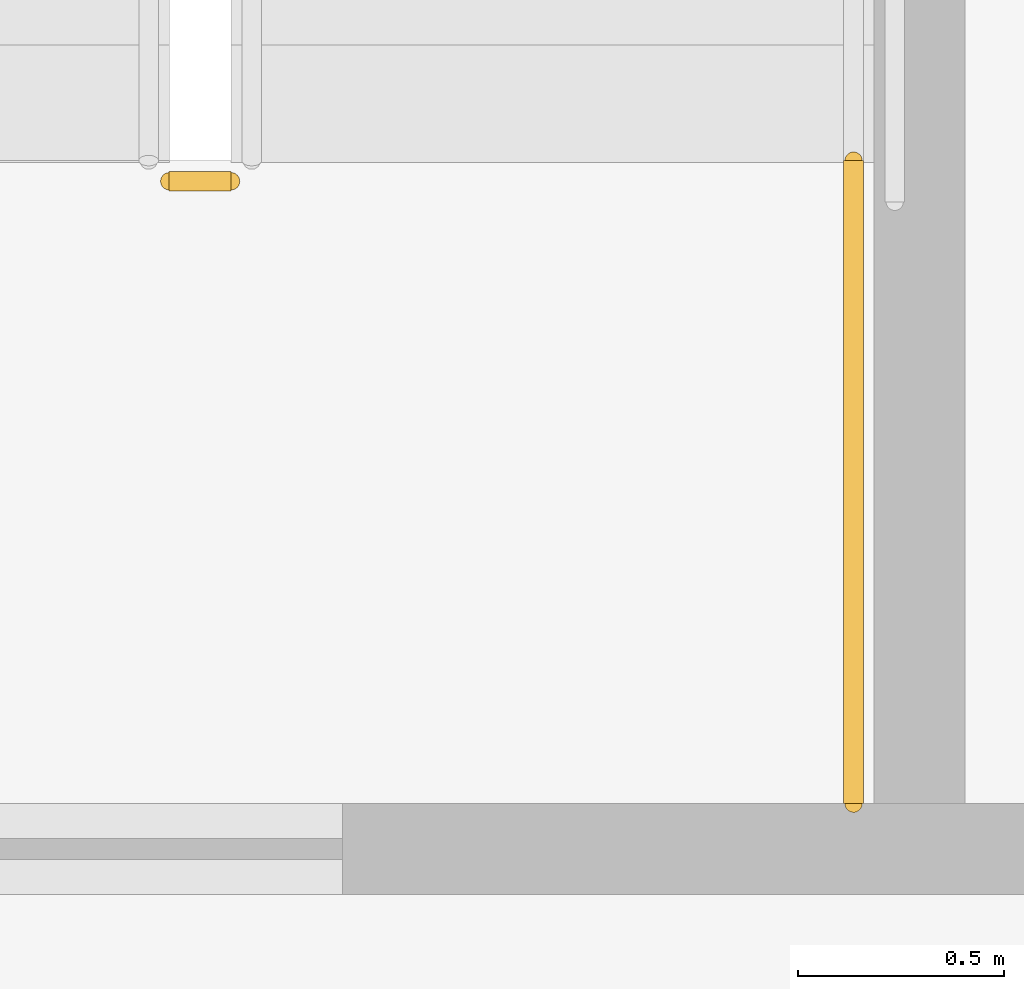
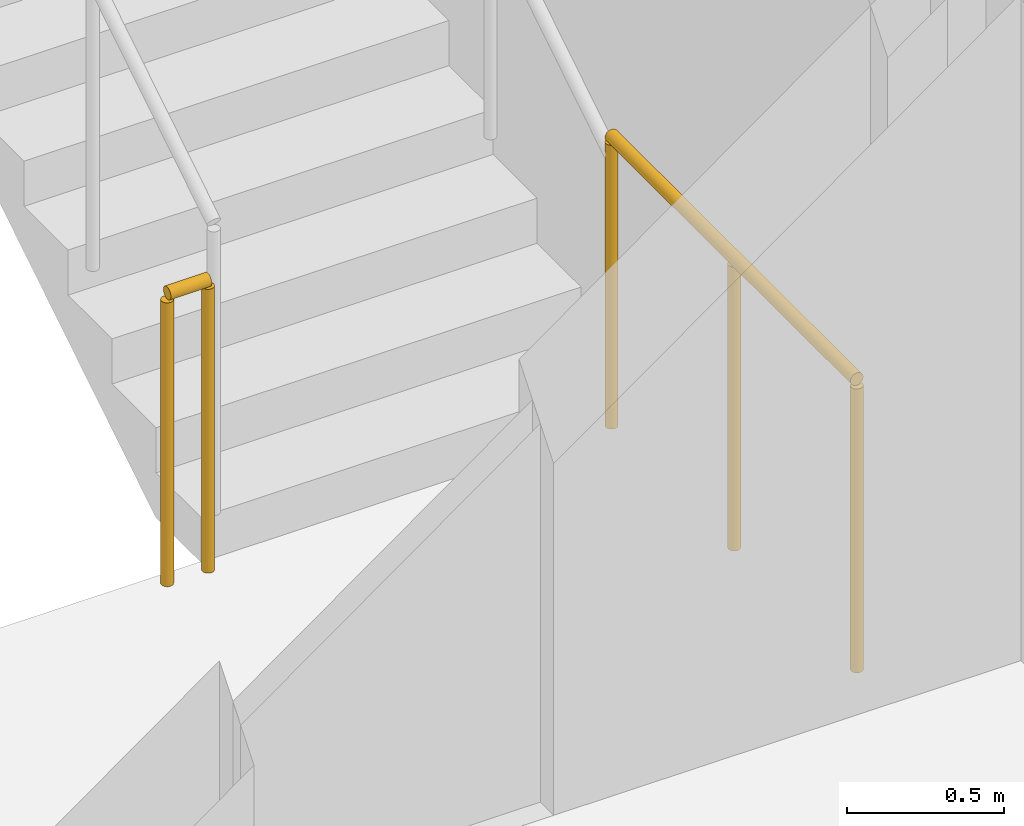
# One storey, part 11 of 14: 2 railings.
"""IFC4 building model written with IfcOpenShell, lengths in metres."""

import ifcopenshell
import ifcopenshell.guid

model = None  # the IFC model being written
_history = None  # IfcOwnerHistory: only IFC2X3 demands one
_inside = {}  # id of a spatial element -> (the spatial element, [elements in it])
_under = {}  # id of a project, library or spatial element -> (it, [spatial elements below it])
_declared = {}  # id of a project -> (the project, [libraries it declares])
_typed = {}  # id of a type object -> (the type object, [elements of that type])
_made_of = {}  # id of a material, layer set ... -> (it, [elements and type objects made of it])


def new_model(schema):
    """Start an empty IFC model of exactly this schema.

    Asked for "IFC4X3", IfcOpenShell would pick the latest addendum, in which some entities
    have other attributes; the version numbers below select the first issue.
    IFC2X3 requires an IfcOwnerHistory on every rooted entity: one is made here for all.
    """
    global model, _history
    if schema == "IFC4X3":
        model = ifcopenshell.file(schema_version=(4, 3, 0, 0))
    else:
        model = ifcopenshell.file(schema=schema)
    _inside.clear()
    _under.clear()
    _declared.clear()
    _typed.clear()
    _made_of.clear()
    _history = None
    if model.schema == "IFC2X3":
        org = make("IfcOrganization", Name="unknown")
        user = make(
            "IfcPersonAndOrganization",
            ThePerson=make("IfcPerson", FamilyName="unknown"),
            TheOrganization=org,
        )
        app = make(
            "IfcApplication",
            ApplicationDeveloper=org,
            Version="unknown",
            ApplicationFullName="unknown",
            ApplicationIdentifier="unknown",
        )
        _history = make(
            "IfcOwnerHistory",
            OwningUser=user,
            OwningApplication=app,
            ChangeAction="ADDED",
            CreationDate=0,
        )
    return model


def make(cls, **values):
    """One entity of the class cls with the attributes given. An attribute that is None is left unset."""
    return model.create_entity(
        cls, **{name: value for name, value in values.items() if value is not None}
    )


def rooted(cls, **values):
    """An entity with a GlobalId (a new one), such as an element, a storey or a relation."""
    return make(cls, GlobalId=ifcopenshell.guid.new(), OwnerHistory=_history, **values)


def si_unit(unit_type, name, prefix=None):
    """IfcSIUnit, for example si_unit("LENGTHUNIT", "METRE", prefix="MILLI")."""
    return make("IfcSIUnit", UnitType=unit_type, Prefix=prefix, Name=name)


def assignment(units):
    """IfcUnitAssignment: the units of a project."""
    return None if units is None else make("IfcUnitAssignment", Units=units)


def point(xyz):
    """IfcCartesianPoint."""
    return None if xyz is None else make("IfcCartesianPoint", Coordinates=xyz)


def direction(xyz):
    """IfcDirection."""
    return None if xyz is None else make("IfcDirection", DirectionRatios=xyz)


def frame(location, z_axis=None, x_axis=None):
    """IfcAxis2Placement3D, a coordinate frame: its origin and axes. An axis left out is left unset."""
    return make(
        "IfcAxis2Placement3D",
        Location=point(location),
        Axis=direction(z_axis),
        RefDirection=direction(x_axis),
    )


def frame_2d(location, x_axis=None):
    """IfcAxis2Placement2D, a coordinate frame in the plane: its origin and x axis."""
    return make(
        "IfcAxis2Placement2D", Location=point(location), RefDirection=direction(x_axis)
    )


def origin():
    """The frame at (0, 0, 0) with its axes left unset."""
    return frame((0.0, 0.0, 0.0))


def origin_2d():
    """The frame at (0, 0) in the plane with its x axis left unset."""
    return frame_2d((0.0, 0.0))


def place(relative_to, where):
    """IfcLocalPlacement: puts the frame where relative to a parent placement (None: the world)."""
    return make(
        "IfcLocalPlacement", PlacementRelTo=relative_to, RelativePlacement=where
    )


def context(
    kind, dimensions, precision=None, world=None, true_north=None, identifier=None
):
    """IfcGeometricRepresentationContext, for example the 3D "Model" context."""
    return make(
        "IfcGeometricRepresentationContext",
        ContextIdentifier=identifier,
        ContextType=kind,
        CoordinateSpaceDimension=dimensions,
        Precision=precision,
        WorldCoordinateSystem=world,
        TrueNorth=true_north,
    )


def subcontext(parent, identifier, kind, view, scale=None):
    """IfcGeometricRepresentationSubContext, for example "Body" below "Model"."""
    return make(
        "IfcGeometricRepresentationSubContext",
        ContextIdentifier=identifier,
        ContextType=kind,
        ParentContext=parent,
        TargetScale=scale,
        TargetView=view,
    )


def project(units=None, contexts=None):
    """IfcProject with its units and contexts."""
    return rooted(
        "IfcProject",
        Name="project",
        RepresentationContexts=contexts,
        UnitsInContext=assignment(units),
    )


def spatial(cls, under=None, at=None, **own):
    """A site, building, storey or space (cls), placed at a placement, below another one or the project."""
    s = rooted(cls, ObjectPlacement=at, **own)
    if under is not None:
        _under.setdefault(under.id(), (under, []))[1].append(s)
    return s


def profile(cls, at=None, kind="AREA", **sizes):
    """A parametric profile (cls). Its sizes go by their IFC names, for example OverallWidth=200.0."""
    return make(cls, ProfileType=kind, Position=at, **sizes)


def circle(**sizes):
    """IfcCircleProfileDef."""
    return profile("IfcCircleProfileDef", **sizes)


def extrude(swept, where, along, depth):
    """IfcExtrudedAreaSolid: the profile swept, set in the frame where, extruded along a direction by depth."""
    return make(
        "IfcExtrudedAreaSolid",
        SweptArea=swept,
        Position=where,
        ExtrudedDirection=direction(along),
        Depth=depth,
    )


def shape(context_of_items, identifier, shape_type, items):
    """IfcShapeRepresentation: the items that make up one representation, for example the "Body"."""
    return make(
        "IfcShapeRepresentation",
        ContextOfItems=context_of_items,
        RepresentationIdentifier=identifier,
        RepresentationType=shape_type,
        Items=items,
    )


def material(Name=None, Category=None):
    """IfcMaterial."""
    return make("IfcMaterial", Name=Name, Category=Category)


def made_of(thing, what):
    """Note that an element or type object is made of a material, layer set ...; save() writes the relation."""
    if what is not None:
        _made_of.setdefault(what.id(), (what, []))[1].append(thing)
    return thing


def type_object(cls, material=None, **own):
    """A type object (cls), such as IfcWallType, which elements share."""
    return made_of(rooted(cls, **own), material)


def element(
    cls,
    number,
    at=None,
    inside=None,
    cuts=None,
    type_object=None,
    material=None,
    context=None,
    identifier="Body",
    shape_type=None,
    held_by="IfcProductDefinitionShape",
    body=None,
    shapes=None,
    **own,
):
    """One element of the class cls, such as IfcWall. Its Tag is "e" and its number.

    at: its placement. inside: the storey or other place that contains it. cuts: it is an
    opening in that element (IfcRelVoidsElement). A single representation is given by context,
    identifier, shape_type and body (its items); several are given by shapes. held_by: the class
    of the entity that holds the representations. save() writes the other relations.
    """
    e = rooted(cls, Tag="e%d" % number, ObjectPlacement=at, **own)
    if body is not None:
        shapes = [shape(context, identifier, shape_type, body)]
    if shapes is not None:
        e.Representation = make(held_by, Representations=shapes)
    if inside is not None:
        _inside.setdefault(inside.id(), (inside, []))[1].append(e)
    if cuts is not None:
        rooted(
            "IfcRelVoidsElement", RelatingBuildingElement=cuts, RelatedOpeningElement=e
        )
    if type_object is not None:
        _typed.setdefault(type_object.id(), (type_object, []))[1].append(e)
    return made_of(e, material)


def aggregate(whole, parts):
    """IfcRelAggregates: a whole, such as a stair, and the parts it consists of."""
    return rooted("IfcRelAggregates", RelatingObject=whole, RelatedObjects=parts)


def save(model, path):
    """Write the relations noted so far, then the file.

    IfcRelAggregates (storeys below a building ...), IfcRelContainedInSpatialStructure (elements
    in a storey), IfcRelDefinesByType, IfcRelAssociatesMaterial and IfcRelDeclares: one each for
    every whole, place, type object, material and project.
    """
    for whole, parts in _under.values():
        aggregate(whole, parts)
    for where, things in _inside.values():
        rooted(
            "IfcRelContainedInSpatialStructure",
            RelatedElements=things,
            RelatingStructure=where,
        )
    for kind, things in _typed.values():
        rooted("IfcRelDefinesByType", RelatedObjects=things, RelatingType=kind)
    for what, things in _made_of.values():
        rooted("IfcRelAssociatesMaterial", RelatedObjects=things, RelatingMaterial=what)
    for by, libraries in _declared.values():
        rooted("IfcRelDeclares", RelatingContext=by, RelatedDefinitions=libraries)
    model.write(path)


model = new_model("IFC4")

# Units and contexts
model_context = context("Model", 3, precision=1e-05, world=origin(), true_north=direction((0.0, 1.0)))
body_context = subcontext(model_context, "Body", "Model", "MODEL_VIEW")
ifc_project = project(units=[si_unit("LENGTHUNIT", "METRE"), si_unit("AREAUNIT", "SQUARE_METRE"), si_unit("VOLUMEUNIT", "CUBIC_METRE"), si_unit("PLANEANGLEUNIT", "RADIAN"), si_unit("MASSUNIT", "GRAM", prefix="KILO")], contexts=[model_context])

# Site, building, storey
site_placement = place(None, origin())
site = spatial("IfcSite", under=ifc_project, at=site_placement, CompositionType="ELEMENT")
building_placement = place(site_placement, origin())
building = spatial("IfcBuilding", under=site, at=building_placement, Name="Khairoan Windgate Tower", CompositionType="ELEMENT")
storey_placement = place(building_placement, frame((0.0, 0.0, 63.800048828125)))
storey = spatial("IfcBuildingStorey", under=building, at=storey_placement, Name="L15", CompositionType="ELEMENT", Elevation=63.800048828125)

# Railings
ifc_material = material(Name="Steel S355", Category="steel")
railing_type = type_object("IfcRailingType", Name="Stairwell Safety Guardrail SGR-1150", PredefinedType="GUARDRAIL", material=ifc_material)
railing_1_placement = place(storey_placement, frame((-17.7099609375, 2.909912109375, 0.0)))
element("IfcRailing", 1, at=railing_1_placement, inside=storey, type_object=railing_type, Name="L15 ST2 stair guard 7", PredefinedType="GUARDRAIL", context=body_context, shape_type="SweptSolid", body=[
    extrude(circle(Radius=0.02392578125, at=origin_2d()), frame((0.0, 0.0, 1.1259765625), z_axis=(-1.0, 0.0, 0.0), x_axis=(0.0, -1.0, 0.0)), (0.0, 0.0, 1.0), 0.150146484375),
    extrude(circle(Radius=0.02099609375, at=origin_2d()), origin(), (0.0, 0.0, 1.0), 1.101806640625),
    extrude(circle(Radius=0.02099609375, at=origin_2d()), frame((-0.150146484375, 0.0, 0.0)), (0.0, 0.0, 1.0), 1.101806640625),
])
railing_2_placement = place(storey_placement, frame((-16.199951171875, 1.39990234375, 0.0)))
element("IfcRailing", 2, at=railing_2_placement, inside=storey, type_object=railing_type, Name="L15 ST2 stair guard 8", PredefinedType="GUARDRAIL", context=body_context, shape_type="SweptSolid", body=[
    extrude(circle(Radius=0.02392578125, at=origin_2d()), frame((0.0, 0.0, 1.1259765625), z_axis=(0.0, 1.0, 0.0), x_axis=(-1.0, 0.0, 0.0)), (0.0, 0.0, 1.0), 1.56005859375),
    extrude(circle(Radius=0.02099609375, at=origin_2d()), origin(), (0.0, 0.0, 1.0), 1.101806640625),
    extrude(circle(Radius=0.02099609375, at=origin_2d()), frame((0.0, 0.780029296875, 0.0)), (0.0, 0.0, 1.0), 1.101806640625),
    extrude(circle(Radius=0.02099609375, at=origin_2d()), frame((0.0, 1.56005859375, 0.0)), (0.0, 0.0, 1.0), 1.101806640625),
])

save(model, "model.ifc")
